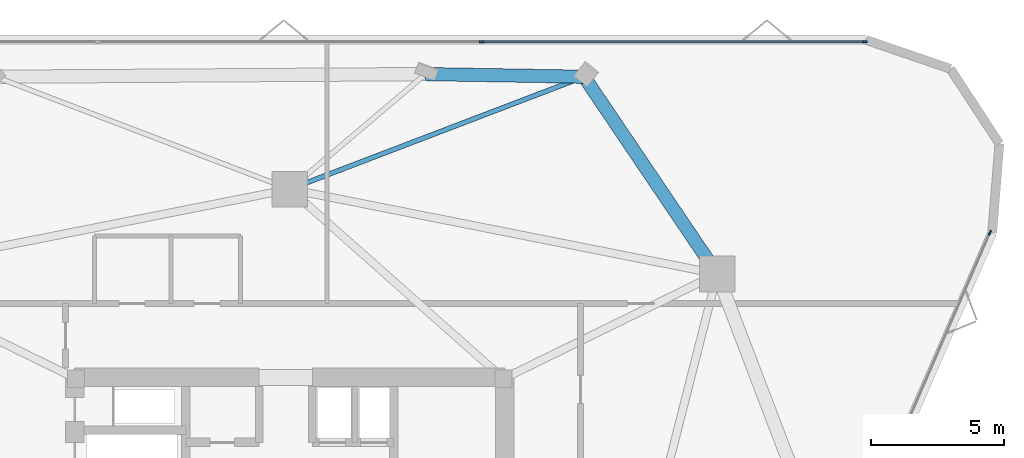
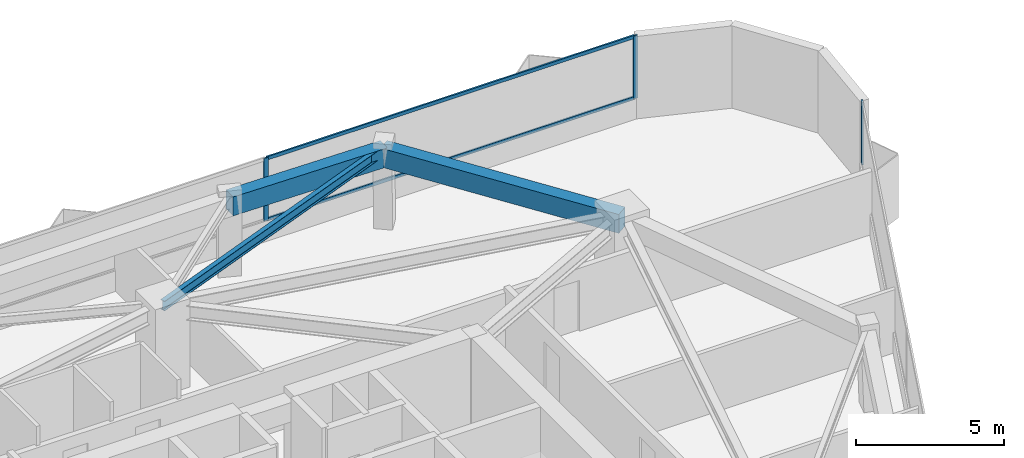
# One storey, part 8 of 12: 5 members, 3 beams, 2 elements without a shape of their own.
"""IFC4 building model written with IfcOpenShell, lengths in metres."""

from ifc_helpers import new_model, si_unit, direction, frame, origin, origin_2d, place, context, subcontext, project, spatial, rectangle, i_section, extrude, material, layer, layer_set, material_profile, profile_set, type_object, element, aggregate, save


model = new_model("IFC4")

# Units and contexts
model_context = context("Model", 3, precision=1e-05, world=origin(), true_north=direction((0.0, 1.0)))
body_context = subcontext(model_context, "Body", "Model", "MODEL_VIEW")
ifc_project = project(units=[si_unit("LENGTHUNIT", "METRE"), si_unit("AREAUNIT", "SQUARE_METRE"), si_unit("VOLUMEUNIT", "CUBIC_METRE"), si_unit("PLANEANGLEUNIT", "RADIAN"), si_unit("MASSUNIT", "GRAM", prefix="KILO")], contexts=[model_context])

# Site, building, storey
site_placement = place(None, origin())
site = spatial("IfcSite", under=ifc_project, at=site_placement, CompositionType="ELEMENT")
building_placement = place(site_placement, origin())
building = spatial("IfcBuilding", under=site, at=building_placement, Name="Talyreon Biosciences Tower", CompositionType="ELEMENT")
storey_placement = place(building_placement, frame((0.0, 0.0, 186.699951171875)))
storey = spatial("IfcBuildingStorey", under=building, at=storey_placement, Name="L49", CompositionType="ELEMENT", Elevation=186.699951171875)

# Curtain wall, members
ifc_material_1 = material(Name="Thermally broken aluminium and low-E glazing", Category="aluminium")
ifc_layer = layer(ifc_material_1, 0.179931640625)
ifc_layer_set = layer_set([ifc_layer], Name="Thermally broken aluminium and low-E glazing")
curtain_wall_type = type_object("IfcCurtainWallType", Name="CurtainWall_Zone4Optical", PredefinedType="NOTDEFINED", material=ifc_layer_set)
curtain_wall_1_placement = place(storey_placement, origin())
curtain_wall_1 = element("IfcCurtainWall", 1, at=curtain_wall_1_placement, inside=storey, type_object=curtain_wall_type, Name="L49 Unitised Curtain Wall FCW-L49-04", PredefinedType="NOTDEFINED")
ifc_material_2 = material(Name="Anodised thermally broken aluminium", Category="aluminium")
ifc_material_profile_1 = material_profile(ifc_material_2, rectangle(XDim=0.06494140625, YDim=0.179931640625, at=origin_2d()), Name="ALUM MULLION 65x180")
ifc_profile_set_1 = profile_set([ifc_material_profile_1], Name="Anodised thermally broken aluminium")
member_type_1 = type_object("IfcMemberType", Name="CWMullion_65x180", PredefinedType="MULLION", material=ifc_profile_set_1)
member_1_placement = place(storey_placement, frame((73.232177734375, 87.3388671875, 0.81005859375), z_axis=(0.0, 0.0, 1.0), x_axis=(0.0, 1.0, 0.0)))
member_1 = element("IfcMember", 2, at=member_1_placement, type_object=member_type_1, Name="CW5 mullion 3", PredefinedType="MULLION", context=body_context, shape_type="SweptSolid", body=[
    extrude(rectangle(XDim=0.06494140625, YDim=0.179931640625, at=origin_2d()), origin(), (0.0, 0.0, 1.0), 2.590087890625),
])
member_2_placement = place(storey_placement, frame((87.663818359375, 87.3388671875, 0.81005859375), z_axis=(0.0, 0.0, 1.0), x_axis=(0.0, 1.0, 0.0)))
member_2 = element("IfcMember", 3, at=member_2_placement, type_object=member_type_1, Name="CW5 mullion 4", PredefinedType="MULLION", context=body_context, shape_type="SweptSolid", body=[
    extrude(rectangle(XDim=0.06494140625, YDim=0.179931640625, at=origin_2d()), origin(), (0.0, 0.0, 1.0), 2.590087890625),
])

# Curtain wall, member
curtain_wall_2_placement = place(storey_placement, origin())
curtain_wall_2 = element("IfcCurtainWall", 4, at=curtain_wall_2_placement, inside=storey, type_object=curtain_wall_type, Name="L49 Unitised Curtain Wall FCW-L49-08", PredefinedType="NOTDEFINED")
member_3_placement = place(storey_placement, frame((92.377685546875, 80.145751953125, 0.81005859375), z_axis=(0.0, 0.0, 1.0), x_axis=(0.916912184291, -0.399089020519, 0.0)))
member_3 = element("IfcMember", 5, at=member_3_placement, type_object=member_type_1, Name="CW5 mullion 1", PredefinedType="MULLION", context=body_context, shape_type="SweptSolid", body=[
    extrude(rectangle(XDim=0.06494140625, YDim=0.179931640625, at=origin_2d()), origin(), (0.0, 0.0, 1.0), 2.590087890625),
])
aggregate(curtain_wall_2, [member_3])

# Member
ifc_material_profile_2 = material_profile(ifc_material_2, rectangle(XDim=0.06494140625, YDim=0.139892578125, at=origin_2d()), Name="ALUM TRANSOM 65x140")
ifc_profile_set_2 = profile_set([ifc_material_profile_2], Name="Anodised thermally broken aluminium")
member_type_2 = type_object("IfcMemberType", Name="CWTransom_65x140", PredefinedType="USERDEFINED", material=ifc_profile_set_2)
member_4_placement = place(storey_placement, frame((73.2646484375, 87.3388671875, 0.842529296875), z_axis=(1.0, 0.0, 0.0), x_axis=(0.0, 1.0, 0.0)))
member_4 = element("IfcMember", 6, at=member_4_placement, type_object=member_type_2, Name="CW5 transom 3.1", ObjectType="TRANSOM", PredefinedType="USERDEFINED", context=body_context, shape_type="SweptSolid", body=[
    extrude(rectangle(XDim=0.06494140625, YDim=0.139892578125, at=origin_2d()), origin(), (0.0, 0.0, 1.0), 14.366455078125),
])

member_5_placement = place(storey_placement, frame((73.2646484375, 87.3388671875, 3.367431640625), z_axis=(1.0, 0.0, 0.0), x_axis=(0.0, 1.0, 0.0)))
member_5 = element("IfcMember", 7, at=member_5_placement, type_object=member_type_2, Name="CW5 transom 3.2", ObjectType="TRANSOM", PredefinedType="USERDEFINED", context=body_context, shape_type="SweptSolid", body=[
    extrude(rectangle(XDim=0.06494140625, YDim=0.139892578125, at=origin_2d()), origin(), (0.0, 0.0, 1.0), 14.366455078125),
])

aggregate(curtain_wall_1, [member_1, member_2, member_4, member_5])

# Beams
ifc_material_3 = material(Name="Precast concrete C45/55", Category="concrete")
ifc_material_profile_3 = material_profile(ifc_material_3, rectangle(XDim=0.5, YDim=0.780029296875, at=origin_2d()), Name="RCB 500x780")
ifc_profile_set_3 = profile_set([ifc_material_profile_3], Name="Precast concrete C45/55")
beam_type_1 = type_object("IfcBeamType", Name="ExpressedSpandrel_500x780", PredefinedType="SPANDREL", material=ifc_profile_set_3)
beam_1_placement = place(storey_placement, frame((82.102294921875, 78.5986328125, 3.010009765625), z_axis=(-0.559776019089, 0.828643957591, 0.0), x_axis=(-0.828643957591, -0.559776019089, 0.0)))
element("IfcBeam", 8, at=beam_1_placement, inside=storey, type_object=beam_type_1, Name="L49 Expressed Horizontal Concrete Spandrel 05", PredefinedType="SPANDREL", context=body_context, shape_type="SweptSolid", body=[
    extrude(rectangle(XDim=0.5, YDim=0.780029296875, at=origin_2d()), origin(), (0.0, 0.0, 1.0), 8.96142578125),
])
beam_2_placement = place(storey_placement, frame((77.0859375, 86.0244140625, 3.010009765625), z_axis=(-0.99985943137, 0.016766558972, 0.0), x_axis=(-0.016766558972, -0.99985943137, 0.0)))
element("IfcBeam", 9, at=beam_2_placement, inside=storey, type_object=beam_type_1, Name="L49 Expressed Horizontal Concrete Spandrel 06", PredefinedType="SPANDREL", context=body_context, shape_type="SweptSolid", body=[
    extrude(rectangle(XDim=0.5, YDim=0.780029296875, at=origin_2d()), origin(), (0.0, 0.0, 1.0), 5.969970703125),
])
ifc_material_4 = material(Name="Steel SM355", Category="steel")
ifc_material_profile_4 = material_profile(ifc_material_4, i_section(OverallWidth=0.179931640625, OverallDepth=0.39990234375, WebThickness=0.008544921875, FlangeThickness=0.013427734375, FilletRadius=0.02099609375, at=origin_2d()), Name="IPE400")
ifc_profile_set_4 = profile_set([ifc_material_profile_4], Name="Steel SM355")
beam_type_2 = type_object("IfcBeamType", Name="SteelJoist_IPE400", PredefinedType="JOIST", material=ifc_profile_set_4)
beam_3_placement = place(storey_placement, frame((66.0, 81.788818359375, 3.199951171875), z_axis=(0.934140212139, 0.356906239879, 0.0), x_axis=(-0.356906239879, 0.934140212139, 0.0)))
element("IfcBeam", 10, at=beam_3_placement, inside=storey, type_object=beam_type_2, Name="L49 Radial Composite Floor Joist PC-N1", PredefinedType="JOIST", context=body_context, shape_type="SweptSolid", body=[
    extrude(i_section(OverallWidth=0.179931640625, OverallDepth=0.39990234375, WebThickness=0.008544921875, FlangeThickness=0.013427734375, FilletRadius=0.02099609375, at=origin_2d()), origin(), (0.0, 0.0, 1.0), 11.867431640625),
])

save(model, "model.ifc")
